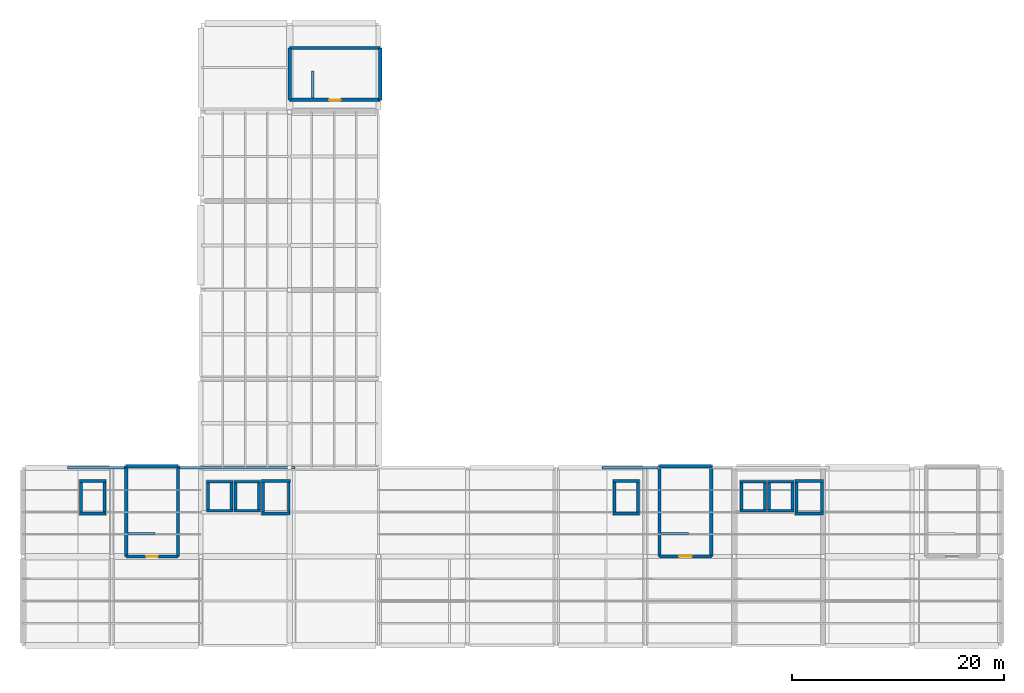
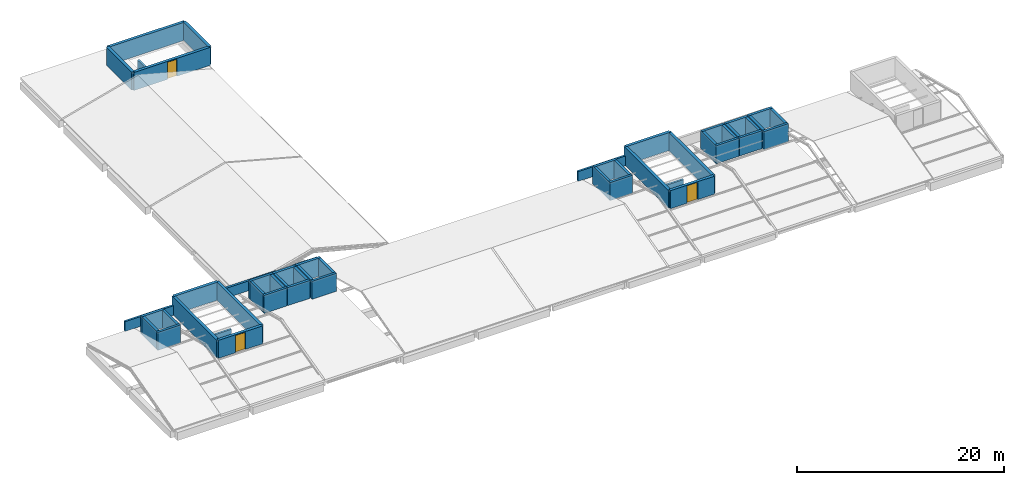
# One storey, part 15 of 17: 50 walls, 3 doors, 3 openings.
"""IFC4 building model written with IfcOpenShell, lengths in metres."""

from ifc_helpers import new_model, si_unit, derived_unit, direction, frame, frame_2d, origin, place, context, subcontext, project, spatial, rectangle, extrude, material, layer, layer_set, type_object, element, fill, save


model = new_model("IFC4")

# Units and contexts
model_context = context("Model", 3, precision=1e-05, world=origin(), true_north=direction((0.0, 1.0)))
body_context = subcontext(model_context, "Body", "Model", "MODEL_VIEW")
ifc_project = project(units=[si_unit("LENGTHUNIT", "METRE"), si_unit("AREAUNIT", "SQUARE_METRE"), si_unit("VOLUMEUNIT", "CUBIC_METRE"), si_unit("PLANEANGLEUNIT", "RADIAN"), si_unit("MASSUNIT", "GRAM", prefix="KILO"), derived_unit("THERMALTRANSMITTANCEUNIT", [(si_unit("POWERUNIT", "WATT"), 1), (si_unit("LENGTHUNIT", "METRE"), -2), (si_unit("THERMODYNAMICTEMPERATUREUNIT", "KELVIN"), -1)])], contexts=[model_context])

# Site, building, storey
site_placement = place(None, origin())
site = spatial("IfcSite", under=ifc_project, at=site_placement, CompositionType="ELEMENT")
building_placement = place(site_placement, origin())
building = spatial("IfcBuilding", under=site, at=building_placement, Name="Barrovel Congress Hotel", CompositionType="ELEMENT")
storey_placement = place(building_placement, frame((0.0, 0.0, 47.10009765625)))
storey = spatial("IfcBuildingStorey", under=building, at=storey_placement, Name="RF", CompositionType="ELEMENT", Elevation=47.10009765625)

# Wall, opening, door
ifc_material_1 = material(Name="Fired Clay Brick Masonry", Category="masonry")
ifc_layer_1 = layer(ifc_material_1, 0.320068359375)
ifc_layer_set_1 = layer_set([ifc_layer_1], Name="Fired Clay Brick Masonry")
wall_type_1 = type_object("IfcWallType", Name="EW-BRK320", PredefinedType="STANDARD", material=ifc_layer_set_1)
wall_1_placement = place(storey_placement, frame((26.550048828125, 12.610107421875, 0.0), z_axis=(0.0, 0.0, 1.0), x_axis=(1.0, 0.0, 0.0)))
wall_1 = element("IfcWall", 1, at=wall_1_placement, inside=storey, type_object=wall_type_1, Name="HHW:XS-01:S", PredefinedType="STANDARD", context=body_context, shape_type="SweptSolid", body=[
    extrude(rectangle(XDim=4.89990234375, YDim=0.320068359375, at=frame_2d((2.449951171875, 0.0))), origin(), (0.0, 0.0, 1.0), 2.119873046875),
])
opening_1_placement = place(wall_1_placement, frame((3.0, 0.0, 0.0), z_axis=(0.0, 0.0, 1.0), x_axis=(-1.0, 0.0, 0.0)))
opening_1 = element("IfcOpeningElement", 2, at=opening_1_placement, cuts=wall_1, Name="Opening TD-01", PredefinedType="OPENING", context=body_context, shape_type="SweptSolid", body=[
    extrude(rectangle(XDim=1.10009765625, YDim=2.02001953125, at=frame_2d((0.550048828125, 1.010009765625))), frame((0.0, 0.169921875, 0.0), z_axis=(0.0, -1.0, 0.0), x_axis=(1.0, 0.0, 0.0)), (0.0, 0.0, 1.0), 0.340087890625),
])
ifc_material_2 = material(Name="Painted Hollow-Metal Steel Door", Category="steel")
door_type_1 = type_object("IfcDoorType", Name="EDR-TD-01", OperationType="NOTDEFINED", PredefinedType="TRAPDOOR", material=ifc_material_2)
door_1_placement = place(opening_1_placement, origin())
door_1 = element("IfcDoor", 3, at=door_1_placement, inside=storey, type_object=door_type_1, Name="Roof Maintenance Access Hatch Door XS-01", OperationType="SINGLE_SWING_LEFT", OverallHeight=2.02001953125, OverallWidth=1.10009765625, PredefinedType="TRAPDOOR", context=body_context, shape_type="SweptSolid", body=[
    extrude(rectangle(XDim=1.10009765625, YDim=2.02001953125, at=frame_2d((0.550048828125, 1.010009765625))), frame((0.0, 0.02490234375, 0.0), z_axis=(0.0, -1.0, 0.0), x_axis=(1.0, 0.0, 0.0)), (0.0, 0.0, 1.0), 0.050048828125),
])
fill(opening_1, door_1)

# Walls
wall_2_placement = place(storey_placement, frame((31.449951171875, 12.610107421875, 0.0), z_axis=(0.0, 0.0, 1.0), x_axis=(0.0, 1.0, 0.0)))
element("IfcWall", 4, at=wall_2_placement, inside=storey, type_object=wall_type_1, Name="HHW:XS-01:E", PredefinedType="STANDARD", context=body_context, shape_type="SweptSolid", body=[
    extrude(rectangle(XDim=8.539794921875, YDim=0.320068359375, at=frame_2d((4.27001953125, 0.0))), origin(), (0.0, 0.0, 1.0), 2.119873046875),
])
wall_3_placement = place(storey_placement, frame((31.449951171875, 21.14990234375, 0.0), z_axis=(0.0, 0.0, 1.0), x_axis=(-1.0, 0.0, 0.0)))
element("IfcWall", 5, at=wall_3_placement, inside=storey, type_object=wall_type_1, Name="HHW:XS-01:N", PredefinedType="STANDARD", context=body_context, shape_type="SweptSolid", body=[
    extrude(rectangle(XDim=4.89990234375, YDim=0.320068359375, at=frame_2d((2.449951171875, 0.0))), origin(), (0.0, 0.0, 1.0), 2.119873046875),
])
wall_4_placement = place(storey_placement, frame((26.550048828125, 21.14990234375, 0.0), z_axis=(0.0, 0.0, 1.0), x_axis=(0.0, -1.0, 0.0)))
element("IfcWall", 6, at=wall_4_placement, inside=storey, type_object=wall_type_1, Name="HHW:XS-01:W", PredefinedType="STANDARD", context=body_context, shape_type="SweptSolid", body=[
    extrude(rectangle(XDim=8.539794921875, YDim=0.320068359375, at=frame_2d((4.27001953125, 0.0))), origin(), (0.0, 0.0, 1.0), 2.119873046875),
])

# Wall, opening, door
wall_5_placement = place(storey_placement, frame((76.949951171875, 12.610107421875, 0.0), z_axis=(0.0, 0.0, 1.0), x_axis=(1.0, 0.0, 0.0)))
wall_5 = element("IfcWall", 7, at=wall_5_placement, inside=storey, type_object=wall_type_1, Name="HHW:XS-02:S", PredefinedType="STANDARD", context=body_context, shape_type="SweptSolid", body=[
    extrude(rectangle(XDim=4.900146484375, YDim=0.320068359375, at=frame_2d((2.4501953125, 0.0))), origin(), (0.0, 0.0, 1.0), 2.119873046875),
])
opening_2_placement = place(wall_5_placement, frame((3.050048828125, 0.0, 0.0), z_axis=(0.0, 0.0, 1.0), x_axis=(-1.0, 0.0, 0.0)))
opening_2 = element("IfcOpeningElement", 8, at=opening_2_placement, cuts=wall_5, Name="Opening TD-02", PredefinedType="OPENING", context=body_context, shape_type="SweptSolid", body=[
    extrude(rectangle(XDim=1.199951171875, YDim=2.0400390625, at=frame_2d((0.60009765625, 1.02001953125))), frame((0.0, 0.169921875, 0.0), z_axis=(0.0, -1.0, 0.0), x_axis=(1.0, 0.0, 0.0)), (0.0, 0.0, 1.0), 0.340087890625),
])
door_type_2 = type_object("IfcDoorType", Name="EDR-TD-02", OperationType="NOTDEFINED", PredefinedType="TRAPDOOR", material=ifc_material_2)
door_2_placement = place(opening_2_placement, origin())
door_2 = element("IfcDoor", 9, at=door_2_placement, inside=storey, type_object=door_type_2, Name="Roof Maintenance Access Hatch Door XS-02", OperationType="SINGLE_SWING_RIGHT", OverallHeight=2.0400390625, OverallWidth=1.199951171875, PredefinedType="TRAPDOOR", context=body_context, shape_type="SweptSolid", body=[
    extrude(rectangle(XDim=1.199951171875, YDim=2.0400390625, at=frame_2d((0.60009765625, 1.02001953125))), frame((0.0, 0.02490234375, 0.0), z_axis=(0.0, -1.0, 0.0), x_axis=(1.0, 0.0, 0.0)), (0.0, 0.0, 1.0), 0.050048828125),
])
fill(opening_2, door_2)

# Walls
wall_6_placement = place(storey_placement, frame((81.85009765625, 12.610107421875, 0.0), z_axis=(0.0, 0.0, 1.0), x_axis=(0.0, 1.0, 0.0)))
element("IfcWall", 10, at=wall_6_placement, inside=storey, type_object=wall_type_1, Name="HHW:XS-02:E", PredefinedType="STANDARD", context=body_context, shape_type="SweptSolid", body=[
    extrude(rectangle(XDim=8.539794921875, YDim=0.320068359375, at=frame_2d((4.27001953125, 0.0))), origin(), (0.0, 0.0, 1.0), 2.119873046875),
])
wall_7_placement = place(storey_placement, frame((81.85009765625, 21.14990234375, 0.0), z_axis=(0.0, 0.0, 1.0), x_axis=(-1.0, 0.0, 0.0)))
element("IfcWall", 11, at=wall_7_placement, inside=storey, type_object=wall_type_1, Name="HHW:XS-02:N", PredefinedType="STANDARD", context=body_context, shape_type="SweptSolid", body=[
    extrude(rectangle(XDim=4.900146484375, YDim=0.320068359375, at=frame_2d((2.4501953125, 0.0))), origin(), (0.0, 0.0, 1.0), 2.119873046875),
])
wall_8_placement = place(storey_placement, frame((76.949951171875, 21.14990234375, 0.0), z_axis=(0.0, 0.0, 1.0), x_axis=(0.0, -1.0, 0.0)))
element("IfcWall", 12, at=wall_8_placement, inside=storey, type_object=wall_type_1, Name="HHW:XS-02:W", PredefinedType="STANDARD", context=body_context, shape_type="SweptSolid", body=[
    extrude(rectangle(XDim=8.539794921875, YDim=0.320068359375, at=frame_2d((4.27001953125, 0.0))), origin(), (0.0, 0.0, 1.0), 2.119873046875),
])

# Wall, opening, door
wall_9_placement = place(storey_placement, frame((42.010009765625, 55.75, 0.0), z_axis=(0.0, 0.0, 1.0), x_axis=(1.0, 0.0, 0.0)))
wall_9 = element("IfcWall", 13, at=wall_9_placement, inside=storey, type_object=wall_type_1, Name="HHW:XS-05:S", PredefinedType="STANDARD", context=body_context, shape_type="SweptSolid", body=[
    extrude(rectangle(XDim=8.5400390625, YDim=0.320068359375, at=frame_2d((4.27001953125, 0.0))), origin(), (0.0, 0.0, 1.0), 2.119873046875),
])
opening_3_placement = place(wall_9_placement, frame((4.820068359375, 0.0, 0.0), z_axis=(0.0, 0.0, 1.0), x_axis=(-1.0, 0.0, 0.0)))
opening_3 = element("IfcOpeningElement", 14, at=opening_3_placement, cuts=wall_9, Name="Opening TD-01", PredefinedType="OPENING", context=body_context, shape_type="SweptSolid", body=[
    extrude(rectangle(XDim=1.10009765625, YDim=2.02001953125, at=frame_2d((0.550048828125, 1.010009765625))), frame((0.0, 0.169921875, 0.0), z_axis=(0.0, -1.0, 0.0), x_axis=(1.0, 0.0, 0.0)), (0.0, 0.0, 1.0), 0.340087890625),
])
door_3_placement = place(opening_3_placement, origin())
door_3 = element("IfcDoor", 15, at=door_3_placement, inside=storey, type_object=door_type_1, Name="Roof Maintenance Access Hatch Door XS-05", OperationType="SINGLE_SWING_LEFT", OverallHeight=2.02001953125, OverallWidth=1.10009765625, PredefinedType="TRAPDOOR", context=body_context, shape_type="SweptSolid", body=[
    extrude(rectangle(XDim=1.10009765625, YDim=2.02001953125, at=frame_2d((0.550048828125, 1.010009765625))), frame((0.0, 0.02490234375, 0.0), z_axis=(0.0, -1.0, 0.0), x_axis=(1.0, 0.0, 0.0)), (0.0, 0.0, 1.0), 0.050048828125),
])
fill(opening_3, door_3)

# Walls
wall_10_placement = place(storey_placement, frame((50.550048828125, 55.75, 0.0), z_axis=(0.0, 0.0, 1.0), x_axis=(0.0, 1.0, 0.0)))
element("IfcWall", 16, at=wall_10_placement, inside=storey, type_object=wall_type_1, Name="HHW:XS-05:E", PredefinedType="STANDARD", context=body_context, shape_type="SweptSolid", body=[
    extrude(rectangle(XDim=4.89990234375, YDim=0.320068359375, at=frame_2d((2.449951171875, 0.0))), origin(), (0.0, 0.0, 1.0), 2.119873046875),
])
wall_11_placement = place(storey_placement, frame((50.550048828125, 60.64990234375, 0.0), z_axis=(0.0, 0.0, 1.0), x_axis=(-1.0, 0.0, 0.0)))
element("IfcWall", 17, at=wall_11_placement, inside=storey, type_object=wall_type_1, Name="HHW:XS-05:N", PredefinedType="STANDARD", context=body_context, shape_type="SweptSolid", body=[
    extrude(rectangle(XDim=8.5400390625, YDim=0.320068359375, at=frame_2d((4.27001953125, 0.0))), origin(), (0.0, 0.0, 1.0), 2.119873046875),
])
wall_12_placement = place(storey_placement, frame((42.010009765625, 60.64990234375, 0.0), z_axis=(0.0, 0.0, 1.0), x_axis=(0.0, -1.0, 0.0)))
element("IfcWall", 18, at=wall_12_placement, inside=storey, type_object=wall_type_1, Name="HHW:XS-05:W", PredefinedType="STANDARD", context=body_context, shape_type="SweptSolid", body=[
    extrude(rectangle(XDim=4.89990234375, YDim=0.320068359375, at=frame_2d((2.449951171875, 0.0))), origin(), (0.0, 0.0, 1.0), 2.119873046875),
])
ifc_layer_2 = layer(ifc_material_1, 0.219970703125)
ifc_layer_set_2 = layer_set([ifc_layer_2], Name="Fired Clay Brick Masonry")
wall_type_2 = type_object("IfcWallType", Name="EW-PAR220", PredefinedType="PARAPET", material=ifc_layer_set_2)
wall_13_placement = place(storey_placement, frame((21.0, 21.0, 0.0), z_axis=(0.0, 0.0, 1.0), x_axis=(1.0, 0.0, 0.0)))
element("IfcWall", 19, at=wall_13_placement, inside=storey, type_object=wall_type_2, Name="PAR:RF:09", PredefinedType="PARAPET", context=body_context, shape_type="SweptSolid", body=[
    extrude(rectangle(XDim=5.389892578125, YDim=0.219970703125, at=frame_2d((2.69482421875, 0.0))), origin(), (0.0, 0.0, 1.0), 1.14990234375),
])
wall_14_placement = place(storey_placement, frame((71.5, 21.0, 0.0), z_axis=(0.0, 0.0, 1.0), x_axis=(1.0, 0.0, 0.0)))
element("IfcWall", 20, at=wall_14_placement, inside=storey, type_object=wall_type_2, Name="PAR:RF:11", PredefinedType="PARAPET", context=body_context, shape_type="SweptSolid", body=[
    extrude(rectangle(XDim=5.2900390625, YDim=0.219970703125, at=frame_2d((2.64501953125, 0.0))), origin(), (0.0, 0.0, 1.0), 1.14990234375),
])
wall_15_placement = place(storey_placement, frame((26.719970703125, 14.780029296875, 0.0), z_axis=(0.0, 0.0, 1.0), x_axis=(1.0, 0.0, 0.0)))
element("IfcWall", 21, at=wall_15_placement, inside=storey, type_object=wall_type_2, Name="STAIR:XS-01:TOP-GR", PredefinedType="PARAPET", context=body_context, shape_type="SweptSolid", body=[
    extrude(rectangle(XDim=2.56005859375, YDim=0.219970703125, at=frame_2d((1.280029296875, 0.0))), origin(), (0.0, 0.0, 1.0), 1.139892578125),
])
wall_16_placement = place(storey_placement, frame((77.1201171875, 14.780029296875, 0.0), z_axis=(0.0, 0.0, 1.0), x_axis=(1.0, 0.0, 0.0)))
element("IfcWall", 22, at=wall_16_placement, inside=storey, type_object=wall_type_2, Name="STAIR:XS-02:TOP-GR", PredefinedType="PARAPET", context=body_context, shape_type="SweptSolid", body=[
    extrude(rectangle(XDim=2.559814453125, YDim=0.219970703125, at=frame_2d((1.27978515625, 0.0))), origin(), (0.0, 0.0, 1.0), 1.139892578125),
])
wall_17_placement = place(storey_placement, frame((44.179931640625, 55.919921875, 0.0), z_axis=(0.0, 0.0, 1.0), x_axis=(0.0, 1.0, 0.0)))
element("IfcWall", 23, at=wall_17_placement, inside=storey, type_object=wall_type_2, Name="STAIR:XS-05:TOP-GR", PredefinedType="PARAPET", context=body_context, shape_type="SweptSolid", body=[
    extrude(rectangle(XDim=2.56005859375, YDim=0.219970703125, at=frame_2d((1.280029296875, 0.0))), origin(), (0.0, 0.0, 1.0), 1.139892578125),
])
ifc_layer_3 = layer(ifc_material_1, 0.260009765625)
ifc_layer_set_3 = layer_set([ifc_layer_3], Name="Fired Clay Brick Masonry")
wall_type_3 = type_object("IfcWallType", Name="EW-PAR260", PredefinedType="PARAPET", material=ifc_layer_set_3)
wall_18_placement = place(storey_placement, frame((31.610107421875, 21.0, 0.0), z_axis=(0.0, 0.0, 1.0), x_axis=(1.0, 0.0, 0.0)))
element("IfcWall", 24, at=wall_18_placement, inside=storey, type_object=wall_type_3, Name="PAR:RF:10", PredefinedType="PARAPET", context=body_context, shape_type="SweptSolid", body=[
    extrude(rectangle(XDim=10.889892578125, YDim=0.260009765625, at=frame_2d((5.44482421875, 0.0))), origin(), (0.0, 0.0, 1.0), 1.14990234375),
])
ifc_material_3 = material(Name="Concrete C40", Category="concrete")
ifc_layer_4 = layer(ifc_material_3, 0.280029296875)
ifc_layer_set_4 = layer_set([ifc_layer_4], Name="Concrete C40")
wall_type_4 = type_object("IfcWallType", Name="SW-C40-280", PredefinedType="SHEAR", material=ifc_layer_set_4)
wall_19_placement = place(storey_placement, frame((22.139892578125, 16.679931640625, 0.0), z_axis=(0.0, 0.0, 1.0), x_axis=(1.0, 0.0, 0.0)))
element("IfcWall", 25, at=wall_19_placement, inside=storey, type_object=wall_type_4, Name="LSH:FL-1:OVR:S", PredefinedType="SHEAR", context=body_context, shape_type="SweptSolid", body=[
    extrude(rectangle(XDim=2.52001953125, YDim=0.280029296875, at=frame_2d((1.260009765625, 0.0))), origin(), (0.0, 0.0, 1.0), 2.119873046875),
])
wall_20_placement = place(storey_placement, frame((24.52001953125, 16.5400390625, 0.0), z_axis=(0.0, 0.0, 1.0), x_axis=(0.0, 1.0, 0.0)))
element("IfcWall", 26, at=wall_20_placement, inside=storey, type_object=wall_type_4, Name="LSH:FL-1:OVR:E", PredefinedType="SHEAR", context=body_context, shape_type="SweptSolid", body=[
    extrude(rectangle(XDim=3.320068359375, YDim=0.280029296875, at=frame_2d((1.66015625, 0.0))), origin(), (0.0, 0.0, 1.0), 2.119873046875),
])
wall_21_placement = place(storey_placement, frame((24.659912109375, 19.719970703125, 0.0), z_axis=(0.0, 0.0, 1.0), x_axis=(-1.0, 0.0, 0.0)))
element("IfcWall", 27, at=wall_21_placement, inside=storey, type_object=wall_type_4, Name="LSH:FL-1:OVR:N", PredefinedType="SHEAR", context=body_context, shape_type="SweptSolid", body=[
    extrude(rectangle(XDim=2.52001953125, YDim=0.280029296875, at=frame_2d((1.260009765625, 0.0))), origin(), (0.0, 0.0, 1.0), 2.119873046875),
])
wall_22_placement = place(storey_placement, frame((22.280029296875, 19.860107421875, 0.0), z_axis=(0.0, 0.0, 1.0), x_axis=(0.0, -1.0, 0.0)))
element("IfcWall", 28, at=wall_22_placement, inside=storey, type_object=wall_type_4, Name="LSH:FL-1:OVR:W", PredefinedType="SHEAR", context=body_context, shape_type="SweptSolid", body=[
    extrude(rectangle(XDim=3.320068359375, YDim=0.280029296875, at=frame_2d((1.66015625, 0.0))), origin(), (0.0, 0.0, 1.0), 2.119873046875),
])
wall_23_placement = place(storey_placement, frame((72.5400390625, 16.679931640625, 0.0), z_axis=(0.0, 0.0, 1.0), x_axis=(1.0, 0.0, 0.0)))
element("IfcWall", 29, at=wall_23_placement, inside=storey, type_object=wall_type_4, Name="LSH:FL-2:OVR:S", PredefinedType="SHEAR", context=body_context, shape_type="SweptSolid", body=[
    extrude(rectangle(XDim=2.52001953125, YDim=0.280029296875, at=frame_2d((1.260009765625, 0.0))), origin(), (0.0, 0.0, 1.0), 2.119873046875),
])
wall_24_placement = place(storey_placement, frame((74.919921875, 16.5400390625, 0.0), z_axis=(0.0, 0.0, 1.0), x_axis=(0.0, 1.0, 0.0)))
element("IfcWall", 30, at=wall_24_placement, inside=storey, type_object=wall_type_4, Name="LSH:FL-2:OVR:E", PredefinedType="SHEAR", context=body_context, shape_type="SweptSolid", body=[
    extrude(rectangle(XDim=3.320068359375, YDim=0.280029296875, at=frame_2d((1.66015625, 0.0))), origin(), (0.0, 0.0, 1.0), 2.119873046875),
])
wall_25_placement = place(storey_placement, frame((75.06005859375, 19.719970703125, 0.0), z_axis=(0.0, 0.0, 1.0), x_axis=(-1.0, 0.0, 0.0)))
element("IfcWall", 31, at=wall_25_placement, inside=storey, type_object=wall_type_4, Name="LSH:FL-2:OVR:N", PredefinedType="SHEAR", context=body_context, shape_type="SweptSolid", body=[
    extrude(rectangle(XDim=2.52001953125, YDim=0.280029296875, at=frame_2d((1.260009765625, 0.0))), origin(), (0.0, 0.0, 1.0), 2.119873046875),
])
wall_26_placement = place(storey_placement, frame((72.679931640625, 19.860107421875, 0.0), z_axis=(0.0, 0.0, 1.0), x_axis=(0.0, -1.0, 0.0)))
element("IfcWall", 32, at=wall_26_placement, inside=storey, type_object=wall_type_4, Name="LSH:FL-2:OVR:W", PredefinedType="SHEAR", context=body_context, shape_type="SweptSolid", body=[
    extrude(rectangle(XDim=3.320068359375, YDim=0.280029296875, at=frame_2d((1.66015625, 0.0))), origin(), (0.0, 0.0, 1.0), 2.119873046875),
])
wall_27_placement = place(storey_placement, frame((34.139892578125, 16.929931640625, 0.0), z_axis=(0.0, 0.0, 1.0), x_axis=(1.0, 0.0, 0.0)))
element("IfcWall", 33, at=wall_27_placement, inside=storey, type_object=wall_type_4, Name="LSH:PL-1:OVR:S", PredefinedType="SHEAR", context=body_context, shape_type="SweptSolid", body=[
    extrude(rectangle(XDim=2.52001953125, YDim=0.280029296875, at=frame_2d((1.260009765625, 0.0))), origin(), (0.0, 0.0, 1.0), 2.119873046875),
])
wall_28_placement = place(storey_placement, frame((36.52001953125, 16.7900390625, 0.0), z_axis=(0.0, 0.0, 1.0), x_axis=(0.0, 1.0, 0.0)))
element("IfcWall", 34, at=wall_28_placement, inside=storey, type_object=wall_type_4, Name="LSH:PL-1:OVR:E", PredefinedType="SHEAR", context=body_context, shape_type="SweptSolid", body=[
    extrude(rectangle(XDim=3.02001953125, YDim=0.280029296875, at=frame_2d((1.510009765625, 0.0))), origin(), (0.0, 0.0, 1.0), 2.119873046875),
])
wall_29_placement = place(storey_placement, frame((36.659912109375, 19.669921875, 0.0), z_axis=(0.0, 0.0, 1.0), x_axis=(-1.0, 0.0, 0.0)))
element("IfcWall", 35, at=wall_29_placement, inside=storey, type_object=wall_type_4, Name="LSH:PL-1:OVR:N", PredefinedType="SHEAR", context=body_context, shape_type="SweptSolid", body=[
    extrude(rectangle(XDim=2.52001953125, YDim=0.280029296875, at=frame_2d((1.260009765625, 0.0))), origin(), (0.0, 0.0, 1.0), 2.119873046875),
])
wall_30_placement = place(storey_placement, frame((34.280029296875, 19.81005859375, 0.0), z_axis=(0.0, 0.0, 1.0), x_axis=(0.0, -1.0, 0.0)))
element("IfcWall", 36, at=wall_30_placement, inside=storey, type_object=wall_type_4, Name="LSH:PL-1:OVR:W", PredefinedType="SHEAR", context=body_context, shape_type="SweptSolid", body=[
    extrude(rectangle(XDim=3.02001953125, YDim=0.280029296875, at=frame_2d((1.510009765625, 0.0))), origin(), (0.0, 0.0, 1.0), 2.119873046875),
])
wall_31_placement = place(storey_placement, frame((36.739990234375, 16.929931640625, 0.0), z_axis=(0.0, 0.0, 1.0), x_axis=(1.0, 0.0, 0.0)))
element("IfcWall", 37, at=wall_31_placement, inside=storey, type_object=wall_type_4, Name="LSH:PL-2:OVR:S", PredefinedType="SHEAR", context=body_context, shape_type="SweptSolid", body=[
    extrude(rectangle(XDim=2.52001953125, YDim=0.280029296875, at=frame_2d((1.260009765625, 0.0))), origin(), (0.0, 0.0, 1.0), 2.119873046875),
])
wall_32_placement = place(storey_placement, frame((39.1201171875, 16.7900390625, 0.0), z_axis=(0.0, 0.0, 1.0), x_axis=(0.0, 1.0, 0.0)))
element("IfcWall", 38, at=wall_32_placement, inside=storey, type_object=wall_type_4, Name="LSH:PL-2:OVR:E", PredefinedType="SHEAR", context=body_context, shape_type="SweptSolid", body=[
    extrude(rectangle(XDim=3.02001953125, YDim=0.280029296875, at=frame_2d((1.510009765625, 0.0))), origin(), (0.0, 0.0, 1.0), 2.119873046875),
])
wall_33_placement = place(storey_placement, frame((39.260009765625, 19.669921875, 0.0), z_axis=(0.0, 0.0, 1.0), x_axis=(-1.0, 0.0, 0.0)))
element("IfcWall", 39, at=wall_33_placement, inside=storey, type_object=wall_type_4, Name="LSH:PL-2:OVR:N", PredefinedType="SHEAR", context=body_context, shape_type="SweptSolid", body=[
    extrude(rectangle(XDim=2.52001953125, YDim=0.280029296875, at=frame_2d((1.260009765625, 0.0))), origin(), (0.0, 0.0, 1.0), 2.119873046875),
])
wall_34_placement = place(storey_placement, frame((36.8798828125, 19.81005859375, 0.0), z_axis=(0.0, 0.0, 1.0), x_axis=(0.0, -1.0, 0.0)))
element("IfcWall", 40, at=wall_34_placement, inside=storey, type_object=wall_type_4, Name="LSH:PL-2:OVR:W", PredefinedType="SHEAR", context=body_context, shape_type="SweptSolid", body=[
    extrude(rectangle(XDim=3.02001953125, YDim=0.280029296875, at=frame_2d((1.510009765625, 0.0))), origin(), (0.0, 0.0, 1.0), 2.119873046875),
])
wall_35_placement = place(storey_placement, frame((84.5400390625, 16.929931640625, 0.0), z_axis=(0.0, 0.0, 1.0), x_axis=(1.0, 0.0, 0.0)))
element("IfcWall", 41, at=wall_35_placement, inside=storey, type_object=wall_type_4, Name="LSH:PL-3:OVR:S", PredefinedType="SHEAR", context=body_context, shape_type="SweptSolid", body=[
    extrude(rectangle(XDim=2.52001953125, YDim=0.280029296875, at=frame_2d((1.260009765625, 0.0))), origin(), (0.0, 0.0, 1.0), 2.119873046875),
])
wall_36_placement = place(storey_placement, frame((86.919921875, 16.7900390625, 0.0), z_axis=(0.0, 0.0, 1.0), x_axis=(0.0, 1.0, 0.0)))
element("IfcWall", 42, at=wall_36_placement, inside=storey, type_object=wall_type_4, Name="LSH:PL-3:OVR:E", PredefinedType="SHEAR", context=body_context, shape_type="SweptSolid", body=[
    extrude(rectangle(XDim=3.02001953125, YDim=0.280029296875, at=frame_2d((1.510009765625, 0.0))), origin(), (0.0, 0.0, 1.0), 2.119873046875),
])
wall_37_placement = place(storey_placement, frame((87.06005859375, 19.669921875, 0.0), z_axis=(0.0, 0.0, 1.0), x_axis=(-1.0, 0.0, 0.0)))
element("IfcWall", 43, at=wall_37_placement, inside=storey, type_object=wall_type_4, Name="LSH:PL-3:OVR:N", PredefinedType="SHEAR", context=body_context, shape_type="SweptSolid", body=[
    extrude(rectangle(XDim=2.52001953125, YDim=0.280029296875, at=frame_2d((1.260009765625, 0.0))), origin(), (0.0, 0.0, 1.0), 2.119873046875),
])
wall_38_placement = place(storey_placement, frame((84.679931640625, 19.81005859375, 0.0), z_axis=(0.0, 0.0, 1.0), x_axis=(0.0, -1.0, 0.0)))
element("IfcWall", 44, at=wall_38_placement, inside=storey, type_object=wall_type_4, Name="LSH:PL-3:OVR:W", PredefinedType="SHEAR", context=body_context, shape_type="SweptSolid", body=[
    extrude(rectangle(XDim=3.02001953125, YDim=0.280029296875, at=frame_2d((1.510009765625, 0.0))), origin(), (0.0, 0.0, 1.0), 2.119873046875),
])
wall_39_placement = place(storey_placement, frame((87.139892578125, 16.929931640625, 0.0), z_axis=(0.0, 0.0, 1.0), x_axis=(1.0, 0.0, 0.0)))
element("IfcWall", 45, at=wall_39_placement, inside=storey, type_object=wall_type_4, Name="LSH:PL-4:OVR:S", PredefinedType="SHEAR", context=body_context, shape_type="SweptSolid", body=[
    extrude(rectangle(XDim=2.52001953125, YDim=0.280029296875, at=frame_2d((1.260009765625, 0.0))), origin(), (0.0, 0.0, 1.0), 2.119873046875),
])
wall_40_placement = place(storey_placement, frame((89.52001953125, 16.7900390625, 0.0), z_axis=(0.0, 0.0, 1.0), x_axis=(0.0, 1.0, 0.0)))
element("IfcWall", 46, at=wall_40_placement, inside=storey, type_object=wall_type_4, Name="LSH:PL-4:OVR:E", PredefinedType="SHEAR", context=body_context, shape_type="SweptSolid", body=[
    extrude(rectangle(XDim=3.02001953125, YDim=0.280029296875, at=frame_2d((1.510009765625, 0.0))), origin(), (0.0, 0.0, 1.0), 2.119873046875),
])
wall_41_placement = place(storey_placement, frame((89.659912109375, 19.669921875, 0.0), z_axis=(0.0, 0.0, 1.0), x_axis=(-1.0, 0.0, 0.0)))
element("IfcWall", 47, at=wall_41_placement, inside=storey, type_object=wall_type_4, Name="LSH:PL-4:OVR:N", PredefinedType="SHEAR", context=body_context, shape_type="SweptSolid", body=[
    extrude(rectangle(XDim=2.52001953125, YDim=0.280029296875, at=frame_2d((1.260009765625, 0.0))), origin(), (0.0, 0.0, 1.0), 2.119873046875),
])
wall_42_placement = place(storey_placement, frame((87.280029296875, 19.81005859375, 0.0), z_axis=(0.0, 0.0, 1.0), x_axis=(0.0, -1.0, 0.0)))
element("IfcWall", 48, at=wall_42_placement, inside=storey, type_object=wall_type_4, Name="LSH:PL-4:OVR:W", PredefinedType="SHEAR", context=body_context, shape_type="SweptSolid", body=[
    extrude(rectangle(XDim=3.02001953125, YDim=0.280029296875, at=frame_2d((1.510009765625, 0.0))), origin(), (0.0, 0.0, 1.0), 2.119873046875),
])
wall_43_placement = place(storey_placement, frame((39.340087890625, 16.679931640625, 0.0), z_axis=(0.0, 0.0, 1.0), x_axis=(1.0, 0.0, 0.0)))
element("IfcWall", 49, at=wall_43_placement, inside=storey, type_object=wall_type_4, Name="LSH:SL-1:OVR:S", PredefinedType="SHEAR", context=body_context, shape_type="SweptSolid", body=[
    extrude(rectangle(XDim=2.719970703125, YDim=0.280029296875, at=frame_2d((1.35986328125, 0.0))), origin(), (0.0, 0.0, 1.0), 2.119873046875),
])
wall_44_placement = place(storey_placement, frame((41.919921875, 16.5400390625, 0.0), z_axis=(0.0, 0.0, 1.0), x_axis=(0.0, 1.0, 0.0)))
element("IfcWall", 50, at=wall_44_placement, inside=storey, type_object=wall_type_4, Name="LSH:SL-1:OVR:E", PredefinedType="SHEAR", context=body_context, shape_type="SweptSolid", body=[
    extrude(rectangle(XDim=3.320068359375, YDim=0.280029296875, at=frame_2d((1.66015625, 0.0))), origin(), (0.0, 0.0, 1.0), 2.119873046875),
])
wall_45_placement = place(storey_placement, frame((42.06005859375, 19.719970703125, 0.0), z_axis=(0.0, 0.0, 1.0), x_axis=(-1.0, 0.0, 0.0)))
element("IfcWall", 51, at=wall_45_placement, inside=storey, type_object=wall_type_4, Name="LSH:SL-1:OVR:N", PredefinedType="SHEAR", context=body_context, shape_type="SweptSolid", body=[
    extrude(rectangle(XDim=2.719970703125, YDim=0.280029296875, at=frame_2d((1.35986328125, 0.0))), origin(), (0.0, 0.0, 1.0), 2.119873046875),
])
wall_46_placement = place(storey_placement, frame((39.47998046875, 19.860107421875, 0.0), z_axis=(0.0, 0.0, 1.0), x_axis=(0.0, -1.0, 0.0)))
element("IfcWall", 52, at=wall_46_placement, inside=storey, type_object=wall_type_4, Name="LSH:SL-1:OVR:W", PredefinedType="SHEAR", context=body_context, shape_type="SweptSolid", body=[
    extrude(rectangle(XDim=3.320068359375, YDim=0.280029296875, at=frame_2d((1.66015625, 0.0))), origin(), (0.0, 0.0, 1.0), 2.119873046875),
])
wall_47_placement = place(storey_placement, frame((89.739990234375, 16.679931640625, 0.0), z_axis=(0.0, 0.0, 1.0), x_axis=(1.0, 0.0, 0.0)))
element("IfcWall", 53, at=wall_47_placement, inside=storey, type_object=wall_type_4, Name="LSH:SL-2:OVR:S", PredefinedType="SHEAR", context=body_context, shape_type="SweptSolid", body=[
    extrude(rectangle(XDim=2.719970703125, YDim=0.280029296875, at=frame_2d((1.35986328125, 0.0))), origin(), (0.0, 0.0, 1.0), 2.119873046875),
])
wall_48_placement = place(storey_placement, frame((92.320068359375, 16.5400390625, 0.0), z_axis=(0.0, 0.0, 1.0), x_axis=(0.0, 1.0, 0.0)))
element("IfcWall", 54, at=wall_48_placement, inside=storey, type_object=wall_type_4, Name="LSH:SL-2:OVR:E", PredefinedType="SHEAR", context=body_context, shape_type="SweptSolid", body=[
    extrude(rectangle(XDim=3.320068359375, YDim=0.280029296875, at=frame_2d((1.66015625, 0.0))), origin(), (0.0, 0.0, 1.0), 2.119873046875),
])
wall_49_placement = place(storey_placement, frame((92.4599609375, 19.719970703125, 0.0), z_axis=(0.0, 0.0, 1.0), x_axis=(-1.0, 0.0, 0.0)))
element("IfcWall", 55, at=wall_49_placement, inside=storey, type_object=wall_type_4, Name="LSH:SL-2:OVR:N", PredefinedType="SHEAR", context=body_context, shape_type="SweptSolid", body=[
    extrude(rectangle(XDim=2.719970703125, YDim=0.280029296875, at=frame_2d((1.35986328125, 0.0))), origin(), (0.0, 0.0, 1.0), 2.119873046875),
])
wall_50_placement = place(storey_placement, frame((89.8798828125, 19.860107421875, 0.0), z_axis=(0.0, 0.0, 1.0), x_axis=(0.0, -1.0, 0.0)))
element("IfcWall", 56, at=wall_50_placement, inside=storey, type_object=wall_type_4, Name="LSH:SL-2:OVR:W", PredefinedType="SHEAR", context=body_context, shape_type="SweptSolid", body=[
    extrude(rectangle(XDim=3.320068359375, YDim=0.280029296875, at=frame_2d((1.66015625, 0.0))), origin(), (0.0, 0.0, 1.0), 2.119873046875),
])

save(model, "model.ifc")
